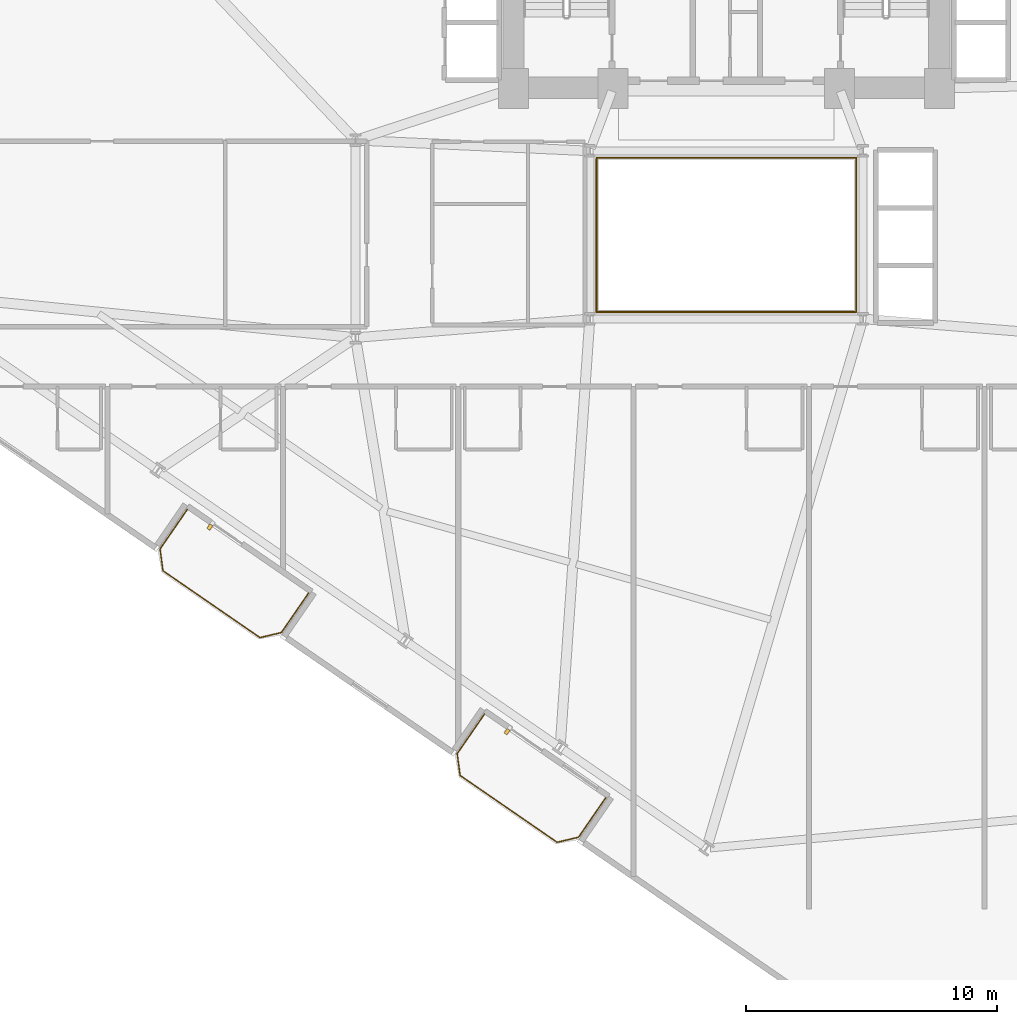
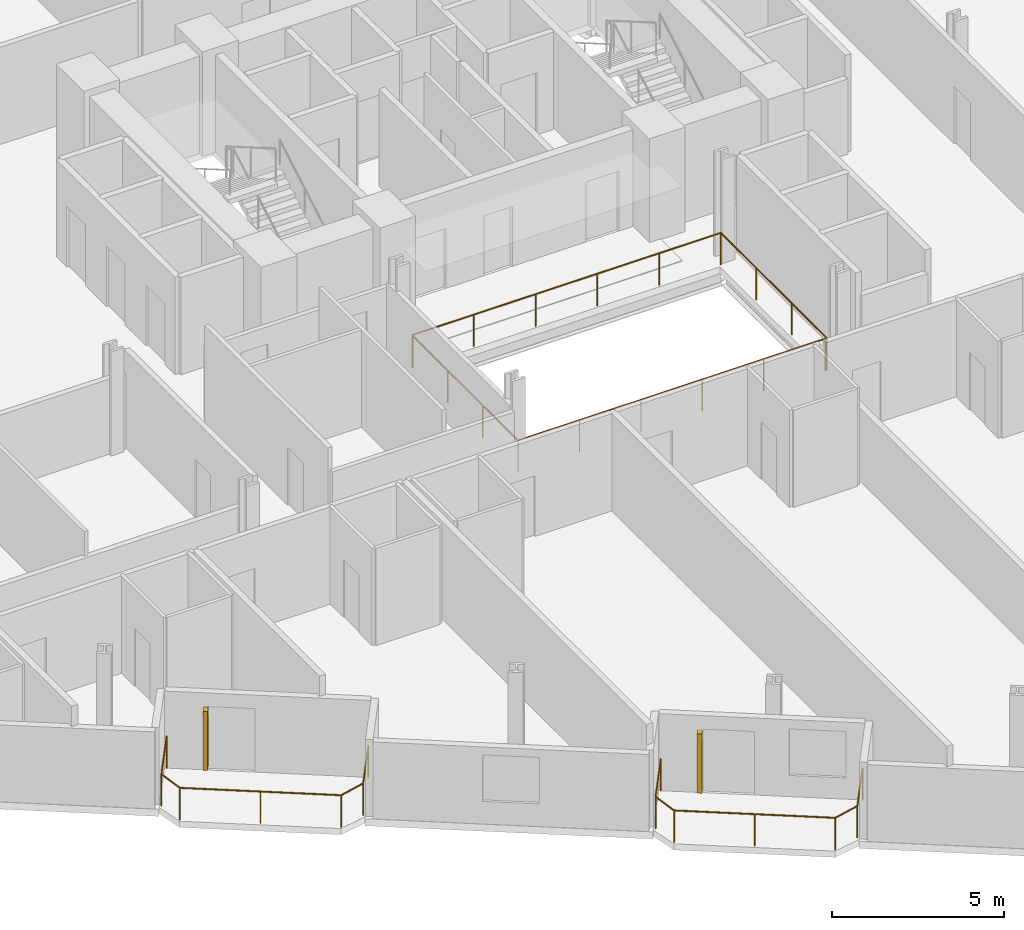
# One storey, part 23 of 25: 4 railings, 2 shading devices.
"""IFC4 building model written with IfcOpenShell, lengths in metres."""

from ifc_helpers import new_model, si_unit, direction, frame, origin, origin_2d, place, context, subcontext, project, spatial, rectangle, circle, extrude, source, transform, mapped, material, type_object, element, save


model = new_model("IFC4")

# Units and contexts
model_context = context("Model", 3, precision=1e-05, world=origin(), true_north=direction((0.0, 1.0)))
body_context = subcontext(model_context, "Body", "Model", "MODEL_VIEW")
ifc_project = project(units=[si_unit("LENGTHUNIT", "METRE"), si_unit("AREAUNIT", "SQUARE_METRE"), si_unit("VOLUMEUNIT", "CUBIC_METRE"), si_unit("PLANEANGLEUNIT", "RADIAN"), si_unit("MASSUNIT", "GRAM", prefix="KILO")], contexts=[model_context])

# Site, building, storey
site_placement = place(None, origin())
site = spatial("IfcSite", under=ifc_project, at=site_placement, CompositionType="ELEMENT")
building_placement = place(site_placement, origin())
building = spatial("IfcBuilding", under=site, at=building_placement, Name="Varnelok Gate Tower", CompositionType="ELEMENT")
storey_placement = place(building_placement, frame((0.0, 0.0, 52.89990234375)))
storey = spatial("IfcBuildingStorey", under=building, at=storey_placement, Name="L12", CompositionType="ELEMENT", Elevation=52.89990234375)

# Railings
ifc_material_1 = material(Name="Tempered Laminated Balustrade Glass", Category="glass")
railing_type_1 = type_object("IfcRailingType", Name="RL-ATR-GUARD1150", PredefinedType="GUARDRAIL", material=ifc_material_1)
railing_1_placement = place(storey_placement, frame((34.02001953125, 25.929931640625, 0.0)))
element("IfcRailing", 1, at=railing_1_placement, inside=storey, type_object=railing_type_1, Name="L12 Internal Atrium South-West Guardrail", PredefinedType="GUARDRAIL", context=body_context, shape_type="SweptSolid", body=[
    extrude(circle(Radius=0.02392578125, at=origin_2d()), frame((0.0, 0.0, 1.1259765625), z_axis=(0.0, -1.0, 0.0), x_axis=(1.0, 0.0, 0.0)), (0.0, 0.0, 1.0), 6.10986328125),
    extrude(circle(Radius=0.02392578125, at=origin_2d()), frame((0.0, -6.10986328125, 1.1259765625), z_axis=(1.0, 0.0, 0.0), x_axis=(0.0, 1.0, 0.0)), (0.0, 0.0, 1.0), 10.31005859375),
    extrude(circle(Radius=0.02099609375, at=origin_2d()), origin(), (0.0, 0.0, 1.0), 1.101806640625),
    extrude(circle(Radius=0.02099609375, at=origin_2d()), frame((0.0, -2.03662109375, 0.0)), (0.0, 0.0, 1.0), 1.101806640625),
    extrude(circle(Radius=0.02099609375, at=origin_2d()), frame((0.0, -4.0732421875, 0.0)), (0.0, 0.0, 1.0), 1.101806640625),
    extrude(circle(Radius=0.02099609375, at=origin_2d()), frame((0.0, -6.10986328125, 0.0)), (0.0, 0.0, 1.0), 1.101806640625),
    extrude(circle(Radius=0.02099609375, at=origin_2d()), frame((2.06201171875, -6.10986328125, 0.0)), (0.0, 0.0, 1.0), 1.101806640625),
    extrude(circle(Radius=0.02099609375, at=origin_2d()), frame((4.1240234375, -6.10986328125, 0.0)), (0.0, 0.0, 1.0), 1.101806640625),
    extrude(circle(Radius=0.02099609375, at=origin_2d()), frame((6.18603515625, -6.10986328125, 0.0)), (0.0, 0.0, 1.0), 1.101806640625),
    extrude(circle(Radius=0.02099609375, at=origin_2d()), frame((8.248046875, -6.10986328125, 0.0)), (0.0, 0.0, 1.0), 1.101806640625),
    extrude(circle(Radius=0.02099609375, at=origin_2d()), frame((10.31005859375, -6.10986328125, 0.0)), (0.0, 0.0, 1.0), 1.101806640625),
])
railing_2_placement = place(storey_placement, frame((44.3798828125, 19.820068359375, 0.0)))
element("IfcRailing", 2, at=railing_2_placement, inside=storey, type_object=railing_type_1, Name="L12 Internal Atrium North-East Guardrail", PredefinedType="GUARDRAIL", context=body_context, shape_type="SweptSolid", body=[
    extrude(circle(Radius=0.02392578125, at=origin_2d()), frame((0.0, 0.0, 1.1259765625), z_axis=(0.0, 1.0, 0.0), x_axis=(-1.0, 0.0, 0.0)), (0.0, 0.0, 1.0), 6.159912109375),
    extrude(circle(Radius=0.02392578125, at=origin_2d()), frame((0.0, 6.159912109375, 1.1259765625), z_axis=(-1.0, 0.0, 0.0), x_axis=(0.0, -1.0, 0.0)), (0.0, 0.0, 1.0), 10.35986328125),
    extrude(circle(Radius=0.02099609375, at=origin_2d()), origin(), (0.0, 0.0, 1.0), 1.101806640625),
    extrude(circle(Radius=0.02099609375, at=origin_2d()), frame((0.0, 2.05322265625, 0.0)), (0.0, 0.0, 1.0), 1.101806640625),
    extrude(circle(Radius=0.02099609375, at=origin_2d()), frame((0.0, 4.106689453125, 0.0)), (0.0, 0.0, 1.0), 1.101806640625),
    extrude(circle(Radius=0.02099609375, at=origin_2d()), frame((0.0, 6.159912109375, 0.0)), (0.0, 0.0, 1.0), 1.101806640625),
    extrude(circle(Radius=0.02099609375, at=origin_2d()), frame((-2.072021484375, 6.159912109375, 0.0)), (0.0, 0.0, 1.0), 1.101806640625),
    extrude(circle(Radius=0.02099609375, at=origin_2d()), frame((-4.14404296875, 6.159912109375, 0.0)), (0.0, 0.0, 1.0), 1.101806640625),
    extrude(circle(Radius=0.02099609375, at=origin_2d()), frame((-6.2158203125, 6.159912109375, 0.0)), (0.0, 0.0, 1.0), 1.101806640625),
    extrude(circle(Radius=0.02099609375, at=origin_2d()), frame((-8.287841796875, 6.159912109375, 0.0)), (0.0, 0.0, 1.0), 1.101806640625),
    extrude(circle(Radius=0.02099609375, at=origin_2d()), frame((-10.35986328125, 6.159912109375, 0.0)), (0.0, 0.0, 1.0), 1.101806640625),
])
ifc_material_2 = material(Name="Low-E Laminated Double Glazing IGU", Category="glass")
railing_type_2 = type_object("IfcRailingType", Name="RL-BALC-1150", PredefinedType="BALUSTRADE", material=ifc_material_2)
railing_3_placement = place(storey_placement, frame((17.688720703125, 11.9462890625, 0.0)))
element("IfcRailing", 3, at=railing_3_placement, inside=storey, type_object=railing_type_2, Name="L12 South Terrace Balustrade 1", PredefinedType="BALUSTRADE", context=body_context, shape_type="SweptSolid", body=[
    extrude(circle(Radius=0.02392578125, at=origin_2d()), frame((0.0, 0.0, 1.1259765625), z_axis=(-0.567224752248, -0.823563039747, 0.0), x_axis=(0.823563039747, -0.567224752248, 0.0)), (0.0, 0.0, 1.0), 1.920166015625),
    extrude(circle(Radius=0.02392578125, at=origin_2d()), frame((-1.089111328125, -1.581298828125, 1.1259765625), z_axis=(0.133511834152, -0.991047218926, 0.0), x_axis=(0.991047218926, 0.133511834152, 0.0)), (0.0, 0.0, 1.0), 0.877685546875),
    extrude(circle(Radius=0.02392578125, at=origin_2d()), frame((-0.971923828125, -2.451171875, 1.1259765625), z_axis=(0.823523239622, -0.567282534371, 0.0), x_axis=(0.567282534371, 0.823523239622, 0.0)), (0.0, 0.0, 1.0), 4.699951171875),
    extrude(circle(Radius=0.02392578125, at=origin_2d()), frame((2.898681640625, -5.117431640625, 1.1259765625), z_axis=(0.973573806257, 0.228372598553, 0.0), x_axis=(-0.228372598553, 0.973573806257, 0.0)), (0.0, 0.0, 1.0), 0.877685546875),
    extrude(circle(Radius=0.02392578125, at=origin_2d()), frame((3.753173828125, -4.9169921875, 1.1259765625), z_axis=(0.567224752248, 0.823563039747, 0.0), x_axis=(-0.823563039747, 0.567224752248, 0.0)), (0.0, 0.0, 1.0), 1.920166015625),
    extrude(circle(Radius=0.02099609375, at=origin_2d()), origin(), (0.0, 0.0, 1.0), 1.101806640625),
    extrude(circle(Radius=0.02099609375, at=origin_2d()), frame((-1.089111328125, -1.581298828125, 0.0)), (0.0, 0.0, 1.0), 1.101806640625),
    extrude(circle(Radius=0.02099609375, at=origin_2d()), frame((-0.971923828125, -2.451171875, 0.0)), (0.0, 0.0, 1.0), 1.101806640625),
    extrude(circle(Radius=0.02099609375, at=origin_2d()), frame((0.96337890625, -3.7841796875, 0.0)), (0.0, 0.0, 1.0), 1.101806640625),
    extrude(circle(Radius=0.02099609375, at=origin_2d()), frame((2.898681640625, -5.117431640625, 0.0)), (0.0, 0.0, 1.0), 1.101806640625),
    extrude(circle(Radius=0.02099609375, at=origin_2d()), frame((3.753173828125, -4.9169921875, 0.0)), (0.0, 0.0, 1.0), 1.101806640625),
    extrude(circle(Radius=0.02099609375, at=origin_2d()), frame((4.84228515625, -3.335693359375, 0.0)), (0.0, 0.0, 1.0), 1.101806640625),
])
railing_4_placement = place(storey_placement, frame((29.547607421875, 3.777587890625, 0.0)))
element("IfcRailing", 4, at=railing_4_placement, inside=storey, type_object=railing_type_2, Name="L12 South Terrace Balustrade 2", PredefinedType="BALUSTRADE", context=body_context, shape_type="SweptSolid", body=[
    extrude(circle(Radius=0.02392578125, at=origin_2d()), frame((0.0, 0.0, 1.1259765625), z_axis=(-0.567224752248, -0.823563039747, 0.0), x_axis=(0.823563039747, -0.567224752248, 0.0)), (0.0, 0.0, 1.0), 1.920166015625),
    extrude(circle(Radius=0.02392578125, at=origin_2d()), frame((-1.089111328125, -1.581298828125, 1.1259765625), z_axis=(0.133511834152, -0.991047218926, 0.0), x_axis=(0.991047218926, 0.133511834152, 0.0)), (0.0, 0.0, 1.0), 0.877685546875),
    extrude(circle(Radius=0.02392578125, at=origin_2d()), frame((-0.971923828125, -2.451171875, 1.1259765625), z_axis=(0.823523239622, -0.567282534371, 0.0), x_axis=(0.567282534371, 0.823523239622, 0.0)), (0.0, 0.0, 1.0), 4.699951171875),
    extrude(circle(Radius=0.02392578125, at=origin_2d()), frame((2.898681640625, -5.117431640625, 1.1259765625), z_axis=(0.973511928193, 0.228636229993, 0.0), x_axis=(-0.228636229993, 0.973511928193, 0.0)), (0.0, 0.0, 1.0), 0.877685546875),
    extrude(circle(Radius=0.02392578125, at=origin_2d()), frame((3.753173828125, -4.916748046875, 1.1259765625), z_axis=(0.567284155424, 0.82352212296, 0.0), x_axis=(-0.82352212296, 0.567284155424, 0.0)), (0.0, 0.0, 1.0), 1.919921875),
    extrude(circle(Radius=0.02099609375, at=origin_2d()), origin(), (0.0, 0.0, 1.0), 1.101806640625),
    extrude(circle(Radius=0.02099609375, at=origin_2d()), frame((-1.089111328125, -1.581298828125, 0.0)), (0.0, 0.0, 1.0), 1.101806640625),
    extrude(circle(Radius=0.02099609375, at=origin_2d()), frame((-0.971923828125, -2.451171875, 0.0)), (0.0, 0.0, 1.0), 1.101806640625),
    extrude(circle(Radius=0.02099609375, at=origin_2d()), frame((0.96337890625, -3.7841796875, 0.0)), (0.0, 0.0, 1.0), 1.101806640625),
    extrude(circle(Radius=0.02099609375, at=origin_2d()), frame((2.898681640625, -5.117431640625, 0.0)), (0.0, 0.0, 1.0), 1.101806640625),
    extrude(circle(Radius=0.02099609375, at=origin_2d()), frame((3.753173828125, -4.916748046875, 0.0)), (0.0, 0.0, 1.0), 1.101806640625),
    extrude(circle(Radius=0.02099609375, at=origin_2d()), frame((4.84228515625, -3.335693359375, 0.0)), (0.0, 0.0, 1.0), 1.101806640625),
])

# Shading devices
ifc_material_3 = material(Name="Glazed Architectural Terracotta Ceramic", Category="masonry")
shading_device_type = type_object("IfcShadingDeviceType", Name="SHD-TERRA-BAGUETTE", PredefinedType="USERDEFINED", material=ifc_material_3)
shared_shape = source(origin(), body_context, "Body", "SweptSolid", [
    extrude(rectangle(XDim=0.139892578125, YDim=0.219970703125, at=origin_2d()), origin(), (0.0, 0.0, 1.0), 2.10009765625),
])
for number, where, z_axis, x_axis, name in (
    (5, (18.587890625, 11.24169921875, 0.10009765625), (0.0, 0.0, 1.0), (0.823532597628, -0.567268949127, 0.0), "L12 Terracotta Ceramic Baguette Sunscreen 1.1"),
    (6, (30.44677734375, 3.072998046875, 0.10009765625), (0.0, 0.0, 1.0), (0.823532597628, -0.567268949127, 0.0), "L12 Terracotta Ceramic Baguette Sunscreen 2.1"),
):
    element("IfcShadingDevice", number, at=place(storey_placement, frame(where, z_axis=z_axis, x_axis=x_axis)), inside=storey, type_object=shading_device_type, Name=name, ObjectType="BAGUETTE", PredefinedType="USERDEFINED", context=body_context, shape_type="MappedRepresentation", body=[
        mapped(shared_shape, transform((0.0, 0.0, 0.0), scale=1.0)),
    ])

save(model, "model.ifc")
